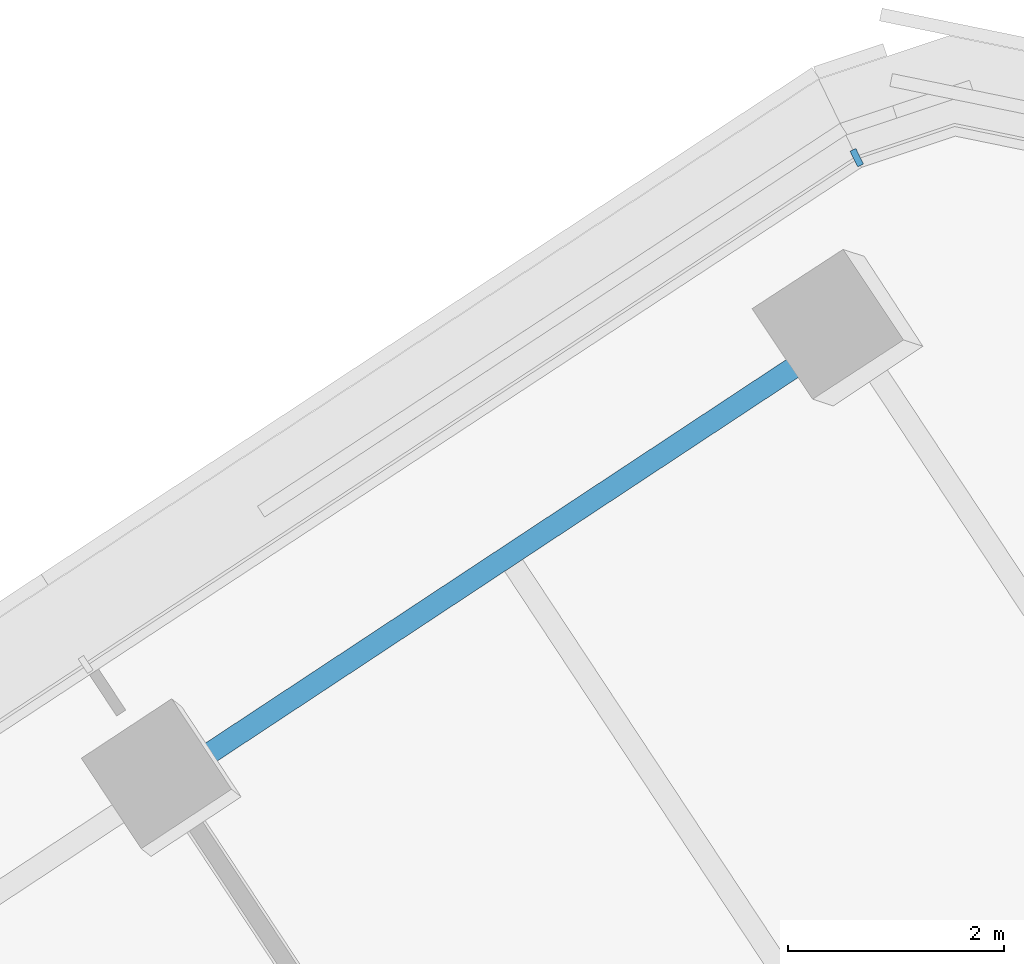
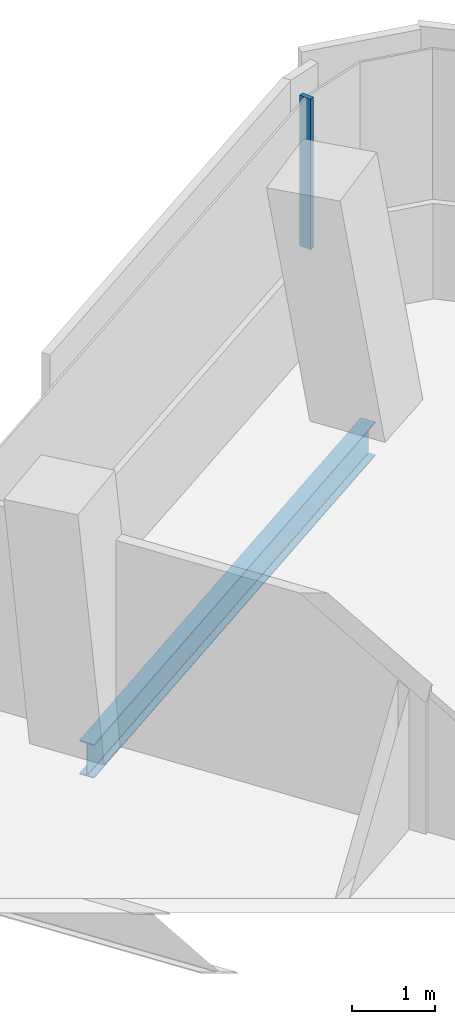
# One storey, part 19 of 35: 1 beam, 1 member, 1 element without a shape of its own.
"""IFC4 building model written with IfcOpenShell, lengths in metres."""

import ifcopenshell
import ifcopenshell.guid

model = None  # the IFC model being written
_history = None  # IfcOwnerHistory: only IFC2X3 demands one
_inside = {}  # id of a spatial element -> (the spatial element, [elements in it])
_under = {}  # id of a project, library or spatial element -> (it, [spatial elements below it])
_declared = {}  # id of a project -> (the project, [libraries it declares])
_typed = {}  # id of a type object -> (the type object, [elements of that type])
_made_of = {}  # id of a material, layer set ... -> (it, [elements and type objects made of it])


def new_model(schema):
    """Start an empty IFC model of exactly this schema.

    Asked for "IFC4X3", IfcOpenShell would pick the latest addendum, in which some entities
    have other attributes; the version numbers below select the first issue.
    IFC2X3 requires an IfcOwnerHistory on every rooted entity: one is made here for all.
    """
    global model, _history
    if schema == "IFC4X3":
        model = ifcopenshell.file(schema_version=(4, 3, 0, 0))
    else:
        model = ifcopenshell.file(schema=schema)
    _inside.clear()
    _under.clear()
    _declared.clear()
    _typed.clear()
    _made_of.clear()
    _history = None
    if model.schema == "IFC2X3":
        org = make("IfcOrganization", Name="unknown")
        user = make(
            "IfcPersonAndOrganization",
            ThePerson=make("IfcPerson", FamilyName="unknown"),
            TheOrganization=org,
        )
        app = make(
            "IfcApplication",
            ApplicationDeveloper=org,
            Version="unknown",
            ApplicationFullName="unknown",
            ApplicationIdentifier="unknown",
        )
        _history = make(
            "IfcOwnerHistory",
            OwningUser=user,
            OwningApplication=app,
            ChangeAction="ADDED",
            CreationDate=0,
        )
    return model


def make(cls, **values):
    """One entity of the class cls with the attributes given. An attribute that is None is left unset."""
    return model.create_entity(
        cls, **{name: value for name, value in values.items() if value is not None}
    )


def rooted(cls, **values):
    """An entity with a GlobalId (a new one), such as an element, a storey or a relation."""
    return make(cls, GlobalId=ifcopenshell.guid.new(), OwnerHistory=_history, **values)


def si_unit(unit_type, name, prefix=None):
    """IfcSIUnit, for example si_unit("LENGTHUNIT", "METRE", prefix="MILLI")."""
    return make("IfcSIUnit", UnitType=unit_type, Prefix=prefix, Name=name)


def assignment(units):
    """IfcUnitAssignment: the units of a project."""
    return None if units is None else make("IfcUnitAssignment", Units=units)


def point(xyz):
    """IfcCartesianPoint."""
    return None if xyz is None else make("IfcCartesianPoint", Coordinates=xyz)


def direction(xyz):
    """IfcDirection."""
    return None if xyz is None else make("IfcDirection", DirectionRatios=xyz)


def frame(location, z_axis=None, x_axis=None):
    """IfcAxis2Placement3D, a coordinate frame: its origin and axes. An axis left out is left unset."""
    return make(
        "IfcAxis2Placement3D",
        Location=point(location),
        Axis=direction(z_axis),
        RefDirection=direction(x_axis),
    )


def frame_2d(location, x_axis=None):
    """IfcAxis2Placement2D, a coordinate frame in the plane: its origin and x axis."""
    return make(
        "IfcAxis2Placement2D", Location=point(location), RefDirection=direction(x_axis)
    )


def origin():
    """The frame at (0, 0, 0) with its axes left unset."""
    return frame((0.0, 0.0, 0.0))


def origin_2d():
    """The frame at (0, 0) in the plane with its x axis left unset."""
    return frame_2d((0.0, 0.0))


def place(relative_to, where):
    """IfcLocalPlacement: puts the frame where relative to a parent placement (None: the world)."""
    return make(
        "IfcLocalPlacement", PlacementRelTo=relative_to, RelativePlacement=where
    )


def context(
    kind, dimensions, precision=None, world=None, true_north=None, identifier=None
):
    """IfcGeometricRepresentationContext, for example the 3D "Model" context."""
    return make(
        "IfcGeometricRepresentationContext",
        ContextIdentifier=identifier,
        ContextType=kind,
        CoordinateSpaceDimension=dimensions,
        Precision=precision,
        WorldCoordinateSystem=world,
        TrueNorth=true_north,
    )


def subcontext(parent, identifier, kind, view, scale=None):
    """IfcGeometricRepresentationSubContext, for example "Body" below "Model"."""
    return make(
        "IfcGeometricRepresentationSubContext",
        ContextIdentifier=identifier,
        ContextType=kind,
        ParentContext=parent,
        TargetScale=scale,
        TargetView=view,
    )


def project(units=None, contexts=None):
    """IfcProject with its units and contexts."""
    return rooted(
        "IfcProject",
        Name="project",
        RepresentationContexts=contexts,
        UnitsInContext=assignment(units),
    )


def spatial(cls, under=None, at=None, **own):
    """A site, building, storey or space (cls), placed at a placement, below another one or the project."""
    s = rooted(cls, ObjectPlacement=at, **own)
    if under is not None:
        _under.setdefault(under.id(), (under, []))[1].append(s)
    return s


def profile(cls, at=None, kind="AREA", **sizes):
    """A parametric profile (cls). Its sizes go by their IFC names, for example OverallWidth=200.0."""
    return make(cls, ProfileType=kind, Position=at, **sizes)


def rectangle(**sizes):
    """IfcRectangleProfileDef."""
    return profile("IfcRectangleProfileDef", **sizes)


def i_section(**sizes):
    """IfcIShapeProfileDef."""
    return profile("IfcIShapeProfileDef", **sizes)


def extrude(swept, where, along, depth):
    """IfcExtrudedAreaSolid: the profile swept, set in the frame where, extruded along a direction by depth."""
    return make(
        "IfcExtrudedAreaSolid",
        SweptArea=swept,
        Position=where,
        ExtrudedDirection=direction(along),
        Depth=depth,
    )


def shape(context_of_items, identifier, shape_type, items):
    """IfcShapeRepresentation: the items that make up one representation, for example the "Body"."""
    return make(
        "IfcShapeRepresentation",
        ContextOfItems=context_of_items,
        RepresentationIdentifier=identifier,
        RepresentationType=shape_type,
        Items=items,
    )


def material(Name=None, Category=None):
    """IfcMaterial."""
    return make("IfcMaterial", Name=Name, Category=Category)


def layer(
    of_material, thickness, ventilated=None, Name=None, Category=None, Priority=None
):
    """IfcMaterialLayer: one layer of a wall or slab, of a material (None: an air gap)."""
    return make(
        "IfcMaterialLayer",
        Material=of_material,
        LayerThickness=thickness,
        IsVentilated=ventilated,
        Name=Name,
        Category=Category,
        Priority=Priority,
    )


def layer_set(layers, Name=None):
    """IfcMaterialLayerSet."""
    return make("IfcMaterialLayerSet", MaterialLayers=layers, LayerSetName=Name)


def material_profile(
    of_material, cross_section, Name=None, Category=None, Priority=None
):
    """IfcMaterialProfile: a cross section and its material."""
    return make(
        "IfcMaterialProfile",
        Name=Name,
        Material=of_material,
        Profile=cross_section,
        Priority=Priority,
        Category=Category,
    )


def profile_set(profiles, Name=None, composite=None):
    """IfcMaterialProfileSet."""
    return make(
        "IfcMaterialProfileSet",
        Name=Name,
        MaterialProfiles=profiles,
        CompositeProfile=composite,
    )


def made_of(thing, what):
    """Note that an element or type object is made of a material, layer set ...; save() writes the relation."""
    if what is not None:
        _made_of.setdefault(what.id(), (what, []))[1].append(thing)
    return thing


def type_object(cls, material=None, **own):
    """A type object (cls), such as IfcWallType, which elements share."""
    return made_of(rooted(cls, **own), material)


def element(
    cls,
    number,
    at=None,
    inside=None,
    cuts=None,
    type_object=None,
    material=None,
    context=None,
    identifier="Body",
    shape_type=None,
    held_by="IfcProductDefinitionShape",
    body=None,
    shapes=None,
    **own,
):
    """One element of the class cls, such as IfcWall. Its Tag is "e" and its number.

    at: its placement. inside: the storey or other place that contains it. cuts: it is an
    opening in that element (IfcRelVoidsElement). A single representation is given by context,
    identifier, shape_type and body (its items); several are given by shapes. held_by: the class
    of the entity that holds the representations. save() writes the other relations.
    """
    e = rooted(cls, Tag="e%d" % number, ObjectPlacement=at, **own)
    if body is not None:
        shapes = [shape(context, identifier, shape_type, body)]
    if shapes is not None:
        e.Representation = make(held_by, Representations=shapes)
    if inside is not None:
        _inside.setdefault(inside.id(), (inside, []))[1].append(e)
    if cuts is not None:
        rooted(
            "IfcRelVoidsElement", RelatingBuildingElement=cuts, RelatedOpeningElement=e
        )
    if type_object is not None:
        _typed.setdefault(type_object.id(), (type_object, []))[1].append(e)
    return made_of(e, material)


def aggregate(whole, parts):
    """IfcRelAggregates: a whole, such as a stair, and the parts it consists of."""
    return rooted("IfcRelAggregates", RelatingObject=whole, RelatedObjects=parts)


def save(model, path):
    """Write the relations noted so far, then the file.

    IfcRelAggregates (storeys below a building ...), IfcRelContainedInSpatialStructure (elements
    in a storey), IfcRelDefinesByType, IfcRelAssociatesMaterial and IfcRelDeclares: one each for
    every whole, place, type object, material and project.
    """
    for whole, parts in _under.values():
        aggregate(whole, parts)
    for where, things in _inside.values():
        rooted(
            "IfcRelContainedInSpatialStructure",
            RelatedElements=things,
            RelatingStructure=where,
        )
    for kind, things in _typed.values():
        rooted("IfcRelDefinesByType", RelatedObjects=things, RelatingType=kind)
    for what, things in _made_of.values():
        rooted("IfcRelAssociatesMaterial", RelatedObjects=things, RelatingMaterial=what)
    for by, libraries in _declared.values():
        rooted("IfcRelDeclares", RelatingContext=by, RelatedDefinitions=libraries)
    model.write(path)


model = new_model("IFC4")

# Units and contexts
model_context = context("Model", 3, precision=1e-05, world=origin(), true_north=direction((0.0, 1.0)))
body_context = subcontext(model_context, "Body", "Model", "MODEL_VIEW")
ifc_project = project(units=[si_unit("LENGTHUNIT", "METRE"), si_unit("AREAUNIT", "SQUARE_METRE"), si_unit("VOLUMEUNIT", "CUBIC_METRE"), si_unit("PLANEANGLEUNIT", "RADIAN"), si_unit("MASSUNIT", "GRAM", prefix="KILO")], contexts=[model_context])

# Site, building, storey
site_placement = place(None, origin())
site = spatial("IfcSite", under=ifc_project, at=site_placement, CompositionType="ELEMENT")
building_placement = place(site_placement, origin())
building = spatial("IfcBuilding", under=site, at=building_placement, Name="Tamarind Cross Interchange Tower", CompositionType="ELEMENT")
storey_placement = place(building_placement, frame((0.0, 0.0, 155.5)))
storey = spatial("IfcBuildingStorey", under=building, at=storey_placement, Name="L38", CompositionType="ELEMENT", Elevation=155.5)

# Beam
ifc_material_1 = material(Name="Steel Q355B", Category="steel")
ifc_material_profile_1 = material_profile(ifc_material_1, i_section(OverallWidth=0.198974609375, OverallDepth=0.49609375, WebThickness=0.009033203125, FlangeThickness=0.013916015625, FilletRadius=0.012939453125, at=origin_2d()), Name="HN 496x199x9x14")
ifc_profile_set_1 = profile_set([ifc_material_profile_1], Name="Steel Q355B")
beam_type = type_object("IfcBeamType", Name="Composite beam HN 496x199x9x14 Q355B", PredefinedType="BEAM", material=ifc_profile_set_1)
beam_placement = place(storey_placement, frame((39.721923828125, 18.291015625, -0.387939453125), z_axis=(-0.834513872621, -0.55098692943, 0.0), x_axis=(0.55098692943, -0.834513872621, 0.0)))
element("IfcBeam", 1, at=beam_placement, inside=storey, type_object=beam_type, Name="Beam E-edgeep2", PredefinedType="BEAM", context=body_context, shape_type="SweptSolid", body=[
    extrude(i_section(OverallWidth=0.198974609375, OverallDepth=0.49609375, WebThickness=0.009033203125, FlangeThickness=0.013916015625, FilletRadius=0.012939453125, at=origin_2d()), origin(), (0.0, 0.0, 1.0), 7.567138671875),
])

# Curtain wall, member
ifc_material_2 = material(Name="Aluminium 6063-T6", Category="aluminium")
ifc_layer = layer(ifc_material_2, 0.159912109375)
ifc_layer_set = layer_set([ifc_layer], Name="Aluminium 6063-T6")
curtain_wall_type = type_object("IfcCurtainWallType", Name="Office curtain wall, 9.0 m bays", PredefinedType="NOTDEFINED", material=ifc_layer_set)
curtain_wall_placement = place(storey_placement, origin())
curtain_wall = element("IfcCurtainWall", 2, at=curtain_wall_placement, inside=storey, type_object=curtain_wall_type, Name="CWS-L38-13", PredefinedType="NOTDEFINED")
ifc_material_profile_2 = material_profile(ifc_material_2, rectangle(XDim=0.06005859375, YDim=0.159912109375, at=origin_2d()), Name="Mullion CW1")
ifc_profile_set_2 = profile_set([ifc_material_profile_2], Name="Aluminium 6063-T6")
member_type = type_object("IfcMemberType", Name="Mullion CW1", PredefinedType="MULLION", material=ifc_profile_set_2)
member_placement = place(storey_placement, frame((39.795166015625, 19.897216796875, 1.39990234375), z_axis=(0.0, 0.0, 1.0), x_axis=(-0.89975201525, -0.43640154795, 0.0)))
member = element("IfcMember", 3, at=member_placement, type_object=member_type, Name="CWM-L38-13-00", PredefinedType="MULLION", context=body_context, shape_type="SweptSolid", body=[
    extrude(rectangle(XDim=0.06005859375, YDim=0.159912109375, at=origin_2d()), origin(), (0.0, 0.0, 1.0), 2.210205078125),
])
aggregate(curtain_wall, [member])

save(model, "model.ifc")
